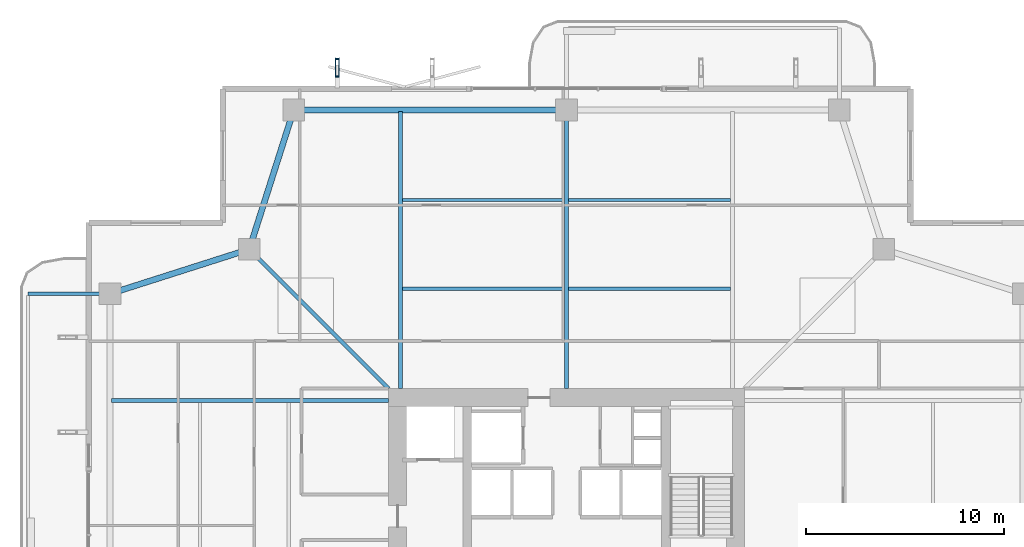
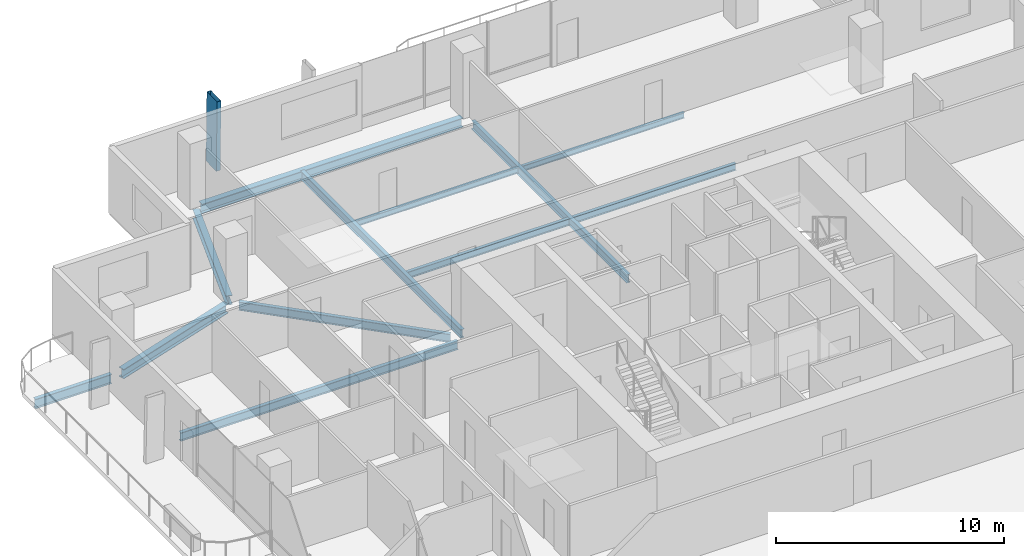
# One storey, part 13 of 25: 12 beams, 1 member.
"""IFC4 building model written with IfcOpenShell, lengths in metres."""

from ifc_helpers import new_model, si_unit, direction, frame, origin, origin_2d, place, context, subcontext, project, spatial, hollow_rectangle, i_section, extrude, material, material_profile, profile_set, type_object, element, save


model = new_model("IFC4")

# Units and contexts
model_context = context("Model", 3, precision=1e-05, world=origin(), true_north=direction((0.0, 1.0)))
body_context = subcontext(model_context, "Body", "Model", "MODEL_VIEW")
ifc_project = project(units=[si_unit("LENGTHUNIT", "METRE"), si_unit("AREAUNIT", "SQUARE_METRE"), si_unit("VOLUMEUNIT", "CUBIC_METRE"), si_unit("PLANEANGLEUNIT", "RADIAN"), si_unit("MASSUNIT", "GRAM", prefix="KILO")], contexts=[model_context])

# Site, building, storey
site_placement = place(None, origin())
site = spatial("IfcSite", under=ifc_project, at=site_placement, CompositionType="ELEMENT")
building_placement = place(site_placement, origin())
building = spatial("IfcBuilding", under=site, at=building_placement, Name="Belovzor Exchange Tower", CompositionType="ELEMENT")
storey_placement = place(building_placement, frame((0.0, 0.0, 172.050048828125)))
storey = spatial("IfcBuildingStorey", under=building, at=storey_placement, Name="L42", CompositionType="ELEMENT", Elevation=172.050048828125)

# Beams
ifc_material_1 = material(Name="Steel S355", Category="steel")
ifc_material_profile_1 = material_profile(ifc_material_1, i_section(OverallWidth=0.199951171875, OverallDepth=0.5, WebThickness=0.01025390625, FlangeThickness=0.01611328125, at=origin_2d()))
ifc_profile_set_1 = profile_set([ifc_material_profile_1], Name="Steel S355")
beam_type_1 = type_object("IfcBeamType", Name="Planted Balcony Cantilever Beam IPE 500", PredefinedType="BEAM", material=ifc_profile_set_1)
beam_1_placement = place(storey_placement, frame((5.39697265625, 42.60009765625, -0.505126953125), z_axis=(-1.0, 0.0, 0.0), x_axis=(0.0, -1.0, 0.0)))
element("IfcBeam", 1, at=beam_1_placement, inside=storey, type_object=beam_type_1, Name="BC-500 Planted Balcony Cantilever Beam IPE 500", PredefinedType="BEAM", context=body_context, shape_type="SweptSolid", body=[
    extrude(i_section(OverallWidth=0.199951171875, OverallDepth=0.5, WebThickness=0.01025390625, FlangeThickness=0.01611328125, at=origin_2d()), origin(), (0.0, 0.0, 1.0), 3.849853515625),
])
ifc_material_2 = material(Name="Steel S355", Category="steel")
ifc_material_profile_2 = material_profile(ifc_material_2, i_section(OverallWidth=0.169921875, OverallDepth=0.360107421875, WebThickness=0.008056640625, FlangeThickness=0.0126953125, at=origin_2d()))
ifc_profile_set_2 = profile_set([ifc_material_profile_2], Name="Steel S355")
beam_type_2 = type_object("IfcBeamType", Name="Secondary Infill Floor Joist IPE 360", PredefinedType="BEAM", material=ifc_profile_set_2)
for number, where, z_axis, x_axis, name in (
    (2, (20.4951171875, 42.84912109375, -0.43505859375), (1.0, 0.0, 0.0), (0.0, 1.0, 0.0), "FJ-360 Secondary Infill Floor Joist IPE 360"),
    (3, (28.89501953125, 42.84912109375, -0.43505859375), (1.0, 0.0, 0.0), (0.0, 1.0, 0.0), "FJ-360 Secondary Infill Floor Joist IPE 360"),
):
    element("IfcBeam", number, at=place(storey_placement, frame(where, z_axis=z_axis, x_axis=x_axis)), inside=storey, type_object=beam_type_2, Name=name, PredefinedType="BEAM", context=body_context, shape_type="SweptSolid", body=[
        extrude(i_section(OverallWidth=0.169921875, OverallDepth=0.360107421875, WebThickness=0.008056640625, FlangeThickness=0.0126953125, at=origin_2d()), origin(), (0.0, 0.0, 1.0), 8.2099609375),
    ])
ifc_material_3 = material(Name="Steel S355", Category="steel")
ifc_material_profile_3 = material_profile(ifc_material_3, i_section(OverallWidth=0.14990234375, OverallDepth=0.300048828125, WebThickness=0.007080078125, FlangeThickness=0.0107421875, at=origin_2d()))
ifc_profile_set_3 = profile_set([ifc_material_profile_3], Name="Steel S355")
beam_type_3 = type_object("IfcBeamType", Name="Secondary Trim Floor Joist IPE 300", PredefinedType="BEAM", material=ifc_profile_set_3)
for number, where, z_axis, x_axis, name in (
    (4, (20.4951171875, 47.3369140625, -0.405029296875), (1.0, 0.0, 0.0), (0.0, 1.0, 0.0), "FJ-300 Secondary Trim Floor Joist IPE 300"),
    (5, (28.89501953125, 47.3369140625, -0.405029296875), (1.0, 0.0, 0.0), (0.0, 1.0, 0.0), "FJ-300 Secondary Trim Floor Joist IPE 300"),
):
    element("IfcBeam", number, at=place(storey_placement, frame(where, z_axis=z_axis, x_axis=x_axis)), inside=storey, type_object=beam_type_3, Name=name, PredefinedType="BEAM", context=body_context, shape_type="SweptSolid", body=[
        extrude(i_section(OverallWidth=0.14990234375, OverallDepth=0.300048828125, WebThickness=0.007080078125, FlangeThickness=0.0107421875, at=origin_2d()), origin(), (0.0, 0.0, 1.0), 8.2099609375),
    ])

# Member
ifc_material_4 = material(Name="Extruded Architectural Terracotta on Steel S355 Carrier", Category="masonry")
ifc_material_profile_4 = material_profile(ifc_material_4, hollow_rectangle(XDim=0.199951171875, YDim=0.89990234375, WallThickness=0.011962890625, at=origin_2d()))
ifc_profile_set_4 = profile_set([ifc_material_profile_4], Name="Extruded Architectural Terracotta on Steel S355 Carrier")
member_type = type_object("IfcMemberType", Name="Sweeping Terracotta Baguette Fin Assembly 1250", PredefinedType="USERDEFINED", material=ifc_profile_set_4)
member_placement = place(storey_placement, frame((17.199951171875, 54.0810546875, -0.255126953125), z_axis=(0.0, -0.018681635002, 0.999825483029), x_axis=(1.0, 0.0, 0.0)))
element("IfcMember", 6, at=member_placement, inside=storey, type_object=member_type, Name="FIN-TC125 Terracotta Facade Fin L42 N1", ObjectType="FIN", PredefinedType="USERDEFINED", context=body_context, shape_type="SweptSolid", body=[
    extrude(hollow_rectangle(XDim=0.199951171875, YDim=0.89990234375, WallThickness=0.011962890625, at=origin_2d()), origin(), (0.0, 0.0, 1.0), 3.750732421875),
])

# Beams
ifc_material_5 = material(Name="Steel S355", Category="steel")
ifc_material_profile_5 = material_profile(ifc_material_5, i_section(OverallWidth=0.18994140625, OverallDepth=0.449951171875, WebThickness=0.009521484375, FlangeThickness=0.0146484375, at=origin_2d()))
ifc_profile_set_5 = profile_set([ifc_material_profile_5], Name="Steel S355")
beam_type_4 = type_object("IfcBeamType", Name="Zone 2-4 Radial Composite Floor Beam IPE 450", PredefinedType="BEAM", material=ifc_profile_set_5)
beam_2_placement = place(storey_placement, frame((20.39990234375, 37.800048828125, -0.47998046875), z_axis=(0.0, 1.0, 0.0), x_axis=(-1.0, 0.0, 0.0)))
element("IfcBeam", 7, at=beam_2_placement, inside=storey, type_object=beam_type_4, Name="FB-450 Zone 2-4 Radial Composite Floor Beam IPE 450", PredefinedType="BEAM", context=body_context, shape_type="SweptSolid", body=[
    extrude(i_section(OverallWidth=0.18994140625, OverallDepth=0.449951171875, WebThickness=0.009521484375, FlangeThickness=0.0146484375, at=origin_2d()), origin(), (0.0, 0.0, 1.0), 14.02490234375),
])
beam_3_placement = place(storey_placement, frame((28.800048828125, 37.800048828125, -0.47998046875), z_axis=(0.0, 1.0, 0.0), x_axis=(-1.0, 0.0, 0.0)))
element("IfcBeam", 8, at=beam_3_placement, inside=storey, type_object=beam_type_4, Name="FB-450 Zone 2-4 Radial Composite Floor Beam IPE 450", PredefinedType="BEAM", context=body_context, shape_type="SweptSolid", body=[
    extrude(i_section(OverallWidth=0.18994140625, OverallDepth=0.449951171875, WebThickness=0.009521484375, FlangeThickness=0.0146484375, at=origin_2d()), origin(), (0.0, 0.0, 1.0), 13.615966796875),
])
beam_4_placement = place(storey_placement, frame((19.800048828125, 37.199951171875, -0.47998046875), z_axis=(-1.0, 0.0, 0.0), x_axis=(0.0, -1.0, 0.0)))
element("IfcBeam", 9, at=beam_4_placement, inside=storey, type_object=beam_type_4, Name="FB-450 Zone 2-4 Radial Composite Floor Beam IPE 450", PredefinedType="BEAM", context=body_context, shape_type="SweptSolid", body=[
    extrude(i_section(OverallWidth=0.18994140625, OverallDepth=0.449951171875, WebThickness=0.009521484375, FlangeThickness=0.0146484375, at=origin_2d()), origin(), (0.0, 0.0, 1.0), 14.025146484375),
])
beam_5_placement = place(storey_placement, frame((19.800048828125, 37.800048828125, -0.47998046875), z_axis=(-0.707119521505, 0.707094040639, 0.0), x_axis=(-0.707094040639, -0.707119521505, 0.0)))
element("IfcBeam", 10, at=beam_5_placement, inside=storey, type_object=beam_type_4, Name="FB-450 Zone 2-4 Radial Composite Floor Beam IPE 450", PredefinedType="BEAM", context=body_context, shape_type="SweptSolid", body=[
    extrude(i_section(OverallWidth=0.18994140625, OverallDepth=0.449951171875, WebThickness=0.009521484375, FlangeThickness=0.0146484375, at=origin_2d()), origin(), (0.0, 0.0, 1.0), 9.581298828125),
])
ifc_material_6 = material(Name="Steel S355", Category="steel")
ifc_material_profile_6 = material_profile(ifc_material_6, i_section(OverallWidth=0.300048828125, OverallDepth=0.5, WebThickness=0.014404296875, FlangeThickness=0.028076171875, at=origin_2d()))
ifc_profile_set_6 = profile_set([ifc_material_profile_6], Name="Steel S355")
beam_type_5 = type_object("IfcBeamType", Name="Zone 3 Waist Primary Girder HEB 500", PredefinedType="BEAM", material=ifc_profile_set_6)
beam_6_placement = place(storey_placement, frame((28.498046875, 51.89990234375, -0.505126953125), z_axis=(-1.0, 0.0, 0.0), x_axis=(0.0, -1.0, 0.0)))
element("IfcBeam", 11, at=beam_6_placement, inside=storey, type_object=beam_type_5, Name="FG-Z3 Zone 3 Waist Primary Girder HEB 500", PredefinedType="BEAM", context=body_context, shape_type="SweptSolid", body=[
    extrude(i_section(OverallWidth=0.300048828125, OverallDepth=0.5, WebThickness=0.014404296875, FlangeThickness=0.028076171875, at=origin_2d()), origin(), (0.0, 0.0, 1.0), 13.195068359375),
])
for number, where, z_axis, x_axis, name in (
    (12, (14.907958984375, 51.612060546875, -0.505126953125), (-0.304001325621, -0.952671608699, 0.0), (0.952671608699, -0.304001325621, 0.0), "FG-Z3 Zone 3 Waist Primary Girder HEB 500"),
    (13, (12.4619140625, 44.758056640625, -0.505126953125), (-0.952657882792, -0.304044336164, 0.0), (0.304044336164, -0.952657882792, 0.0), "FG-Z3 Zone 3 Waist Primary Girder HEB 500"),
):
    element("IfcBeam", number, at=place(storey_placement, frame(where, z_axis=z_axis, x_axis=x_axis)), inside=storey, type_object=beam_type_5, Name=name, PredefinedType="BEAM", context=body_context, shape_type="SweptSolid", body=[
        extrude(i_section(OverallWidth=0.300048828125, OverallDepth=0.5, WebThickness=0.014404296875, FlangeThickness=0.028076171875, at=origin_2d()), origin(), (0.0, 0.0, 1.0), 6.795654296875),
    ])

save(model, "model.ifc")
